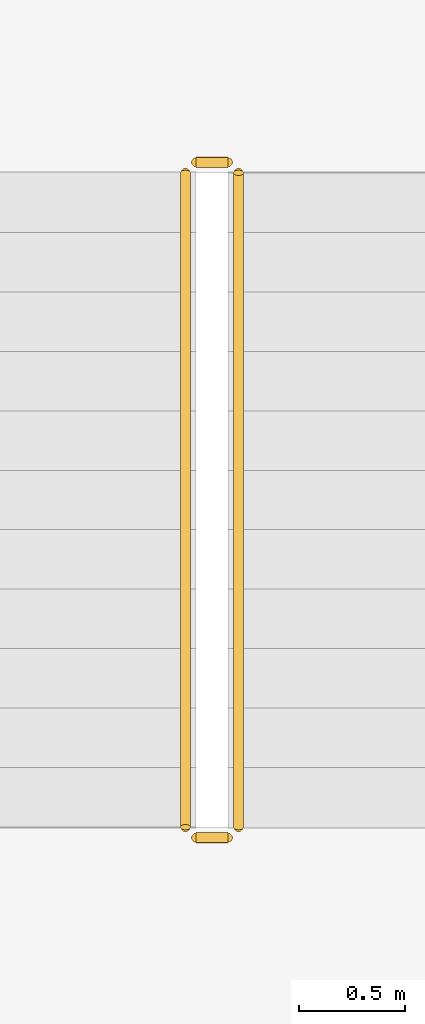
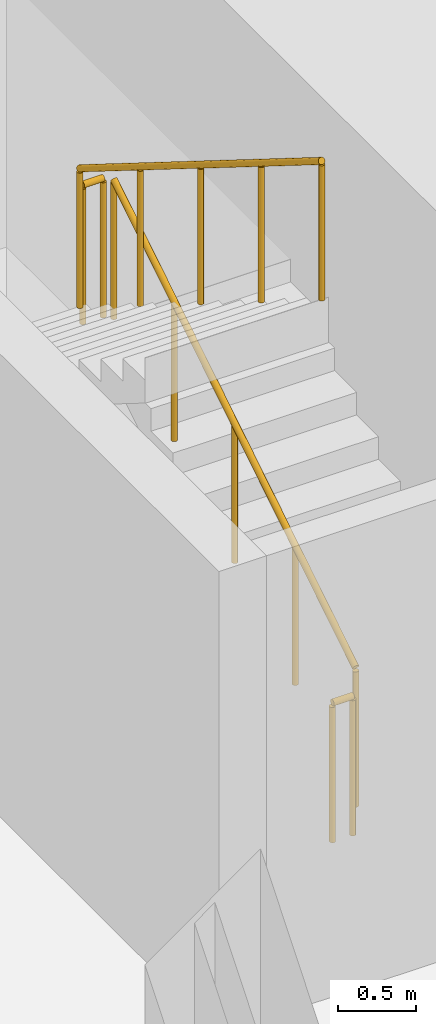
# One storey, part 17 of 21: 4 railings.
"""IFC4 building model written with IfcOpenShell, lengths in metres."""

import ifcopenshell
import ifcopenshell.guid

model = None  # the IFC model being written
_history = None  # IfcOwnerHistory: only IFC2X3 demands one
_inside = {}  # id of a spatial element -> (the spatial element, [elements in it])
_under = {}  # id of a project, library or spatial element -> (it, [spatial elements below it])
_declared = {}  # id of a project -> (the project, [libraries it declares])
_typed = {}  # id of a type object -> (the type object, [elements of that type])
_made_of = {}  # id of a material, layer set ... -> (it, [elements and type objects made of it])


def new_model(schema):
    """Start an empty IFC model of exactly this schema.

    Asked for "IFC4X3", IfcOpenShell would pick the latest addendum, in which some entities
    have other attributes; the version numbers below select the first issue.
    IFC2X3 requires an IfcOwnerHistory on every rooted entity: one is made here for all.
    """
    global model, _history
    if schema == "IFC4X3":
        model = ifcopenshell.file(schema_version=(4, 3, 0, 0))
    else:
        model = ifcopenshell.file(schema=schema)
    _inside.clear()
    _under.clear()
    _declared.clear()
    _typed.clear()
    _made_of.clear()
    _history = None
    if model.schema == "IFC2X3":
        org = make("IfcOrganization", Name="unknown")
        user = make(
            "IfcPersonAndOrganization",
            ThePerson=make("IfcPerson", FamilyName="unknown"),
            TheOrganization=org,
        )
        app = make(
            "IfcApplication",
            ApplicationDeveloper=org,
            Version="unknown",
            ApplicationFullName="unknown",
            ApplicationIdentifier="unknown",
        )
        _history = make(
            "IfcOwnerHistory",
            OwningUser=user,
            OwningApplication=app,
            ChangeAction="ADDED",
            CreationDate=0,
        )
    return model


def make(cls, **values):
    """One entity of the class cls with the attributes given. An attribute that is None is left unset."""
    return model.create_entity(
        cls, **{name: value for name, value in values.items() if value is not None}
    )


def rooted(cls, **values):
    """An entity with a GlobalId (a new one), such as an element, a storey or a relation."""
    return make(cls, GlobalId=ifcopenshell.guid.new(), OwnerHistory=_history, **values)


def si_unit(unit_type, name, prefix=None):
    """IfcSIUnit, for example si_unit("LENGTHUNIT", "METRE", prefix="MILLI")."""
    return make("IfcSIUnit", UnitType=unit_type, Prefix=prefix, Name=name)


def assignment(units):
    """IfcUnitAssignment: the units of a project."""
    return None if units is None else make("IfcUnitAssignment", Units=units)


def point(xyz):
    """IfcCartesianPoint."""
    return None if xyz is None else make("IfcCartesianPoint", Coordinates=xyz)


def direction(xyz):
    """IfcDirection."""
    return None if xyz is None else make("IfcDirection", DirectionRatios=xyz)


def frame(location, z_axis=None, x_axis=None):
    """IfcAxis2Placement3D, a coordinate frame: its origin and axes. An axis left out is left unset."""
    return make(
        "IfcAxis2Placement3D",
        Location=point(location),
        Axis=direction(z_axis),
        RefDirection=direction(x_axis),
    )


def frame_2d(location, x_axis=None):
    """IfcAxis2Placement2D, a coordinate frame in the plane: its origin and x axis."""
    return make(
        "IfcAxis2Placement2D", Location=point(location), RefDirection=direction(x_axis)
    )


def origin():
    """The frame at (0, 0, 0) with its axes left unset."""
    return frame((0.0, 0.0, 0.0))


def origin_2d():
    """The frame at (0, 0) in the plane with its x axis left unset."""
    return frame_2d((0.0, 0.0))


def place(relative_to, where):
    """IfcLocalPlacement: puts the frame where relative to a parent placement (None: the world)."""
    return make(
        "IfcLocalPlacement", PlacementRelTo=relative_to, RelativePlacement=where
    )


def context(
    kind, dimensions, precision=None, world=None, true_north=None, identifier=None
):
    """IfcGeometricRepresentationContext, for example the 3D "Model" context."""
    return make(
        "IfcGeometricRepresentationContext",
        ContextIdentifier=identifier,
        ContextType=kind,
        CoordinateSpaceDimension=dimensions,
        Precision=precision,
        WorldCoordinateSystem=world,
        TrueNorth=true_north,
    )


def subcontext(parent, identifier, kind, view, scale=None):
    """IfcGeometricRepresentationSubContext, for example "Body" below "Model"."""
    return make(
        "IfcGeometricRepresentationSubContext",
        ContextIdentifier=identifier,
        ContextType=kind,
        ParentContext=parent,
        TargetScale=scale,
        TargetView=view,
    )


def project(units=None, contexts=None):
    """IfcProject with its units and contexts."""
    return rooted(
        "IfcProject",
        Name="project",
        RepresentationContexts=contexts,
        UnitsInContext=assignment(units),
    )


def spatial(cls, under=None, at=None, **own):
    """A site, building, storey or space (cls), placed at a placement, below another one or the project."""
    s = rooted(cls, ObjectPlacement=at, **own)
    if under is not None:
        _under.setdefault(under.id(), (under, []))[1].append(s)
    return s


def profile(cls, at=None, kind="AREA", **sizes):
    """A parametric profile (cls). Its sizes go by their IFC names, for example OverallWidth=200.0."""
    return make(cls, ProfileType=kind, Position=at, **sizes)


def circle(**sizes):
    """IfcCircleProfileDef."""
    return profile("IfcCircleProfileDef", **sizes)


def extrude(swept, where, along, depth):
    """IfcExtrudedAreaSolid: the profile swept, set in the frame where, extruded along a direction by depth."""
    return make(
        "IfcExtrudedAreaSolid",
        SweptArea=swept,
        Position=where,
        ExtrudedDirection=direction(along),
        Depth=depth,
    )


def shape(context_of_items, identifier, shape_type, items):
    """IfcShapeRepresentation: the items that make up one representation, for example the "Body"."""
    return make(
        "IfcShapeRepresentation",
        ContextOfItems=context_of_items,
        RepresentationIdentifier=identifier,
        RepresentationType=shape_type,
        Items=items,
    )


def material(Name=None, Category=None):
    """IfcMaterial."""
    return make("IfcMaterial", Name=Name, Category=Category)


def made_of(thing, what):
    """Note that an element or type object is made of a material, layer set ...; save() writes the relation."""
    if what is not None:
        _made_of.setdefault(what.id(), (what, []))[1].append(thing)
    return thing


def type_object(cls, material=None, **own):
    """A type object (cls), such as IfcWallType, which elements share."""
    return made_of(rooted(cls, **own), material)


def element(
    cls,
    number,
    at=None,
    inside=None,
    cuts=None,
    type_object=None,
    material=None,
    context=None,
    identifier="Body",
    shape_type=None,
    held_by="IfcProductDefinitionShape",
    body=None,
    shapes=None,
    **own,
):
    """One element of the class cls, such as IfcWall. Its Tag is "e" and its number.

    at: its placement. inside: the storey or other place that contains it. cuts: it is an
    opening in that element (IfcRelVoidsElement). A single representation is given by context,
    identifier, shape_type and body (its items); several are given by shapes. held_by: the class
    of the entity that holds the representations. save() writes the other relations.
    """
    e = rooted(cls, Tag="e%d" % number, ObjectPlacement=at, **own)
    if body is not None:
        shapes = [shape(context, identifier, shape_type, body)]
    if shapes is not None:
        e.Representation = make(held_by, Representations=shapes)
    if inside is not None:
        _inside.setdefault(inside.id(), (inside, []))[1].append(e)
    if cuts is not None:
        rooted(
            "IfcRelVoidsElement", RelatingBuildingElement=cuts, RelatedOpeningElement=e
        )
    if type_object is not None:
        _typed.setdefault(type_object.id(), (type_object, []))[1].append(e)
    return made_of(e, material)


def aggregate(whole, parts):
    """IfcRelAggregates: a whole, such as a stair, and the parts it consists of."""
    return rooted("IfcRelAggregates", RelatingObject=whole, RelatedObjects=parts)


def save(model, path):
    """Write the relations noted so far, then the file.

    IfcRelAggregates (storeys below a building ...), IfcRelContainedInSpatialStructure (elements
    in a storey), IfcRelDefinesByType, IfcRelAssociatesMaterial and IfcRelDeclares: one each for
    every whole, place, type object, material and project.
    """
    for whole, parts in _under.values():
        aggregate(whole, parts)
    for where, things in _inside.values():
        rooted(
            "IfcRelContainedInSpatialStructure",
            RelatedElements=things,
            RelatingStructure=where,
        )
    for kind, things in _typed.values():
        rooted("IfcRelDefinesByType", RelatedObjects=things, RelatingType=kind)
    for what, things in _made_of.values():
        rooted("IfcRelAssociatesMaterial", RelatedObjects=things, RelatingMaterial=what)
    for by, libraries in _declared.values():
        rooted("IfcRelDeclares", RelatingContext=by, RelatedDefinitions=libraries)
    model.write(path)


model = new_model("IFC4")

# Units and contexts
model_context = context("Model", 3, precision=1e-05, world=origin(), true_north=direction((0.0, 1.0)))
body_context = subcontext(model_context, "Body", "Model", "MODEL_VIEW")
ifc_project = project(units=[si_unit("LENGTHUNIT", "METRE"), si_unit("AREAUNIT", "SQUARE_METRE"), si_unit("VOLUMEUNIT", "CUBIC_METRE"), si_unit("PLANEANGLEUNIT", "RADIAN"), si_unit("MASSUNIT", "GRAM", prefix="KILO")], contexts=[model_context])

# Site, building, storey
site_placement = place(None, origin())
site = spatial("IfcSite", under=ifc_project, at=site_placement, CompositionType="ELEMENT")
building_placement = place(site_placement, origin())
building = spatial("IfcBuilding", under=site, at=building_placement, Name="Kawkab Arch Medical Tower", CompositionType="ELEMENT")
storey_placement = place(building_placement, frame((0.0, 0.0, 230.60009765625)))
storey = spatial("IfcBuildingStorey", under=building, at=storey_placement, Name="L53", CompositionType="ELEMENT", Elevation=230.60009765625)

# Railings
ifc_material = material(Name="Stainless steel", Category="steel")
railing_type = type_object("IfcRailingType", Name="Stair guard 1100", PredefinedType="GUARDRAIL", material=ifc_material)
railing_1_placement = place(storey_placement, frame((2.89990234375, -21.699951171875, 0.1748046875)))
element("IfcRailing", 1, at=railing_1_placement, inside=storey, type_object=railing_type, Name="L53 ST2 stair guard 1", PredefinedType="GUARDRAIL", context=body_context, shape_type="SweptSolid", body=[
    extrude(circle(Radius=0.02392578125, at=origin_2d()), frame((0.0, 0.0, 1.076171875), z_axis=(0.0, 0.847979421464, 0.530029150871), x_axis=(-1.0, 0.0, 0.0)), (0.0, 0.0, 1.0), 3.632080078125),
    extrude(circle(Radius=0.02099609375, at=origin_2d()), origin(), (0.0, 0.0, 1.0), 1.052001953125),
    extrude(circle(Radius=0.02099609375, at=origin_2d()), frame((0.0, 0.77001953125, 0.481201171875)), (0.0, 0.0, 1.0), 1.052001953125),
    extrude(circle(Radius=0.02099609375, at=origin_2d()), frame((0.0, 1.5400390625, 0.96240234375)), (0.0, 0.0, 1.0), 1.052001953125),
    extrude(circle(Radius=0.02099609375, at=origin_2d()), frame((0.0, 2.309814453125, 1.44384765625)), (0.0, 0.0, 1.0), 1.052001953125),
    extrude(circle(Radius=0.02099609375, at=origin_2d()), frame((0.0, 3.079833984375, 1.925048828125)), (0.0, 0.0, 1.0), 1.052001953125),
])
railing_2_placement = place(storey_placement, frame((2.85009765625, -18.570068359375, 2.099853515625)))
element("IfcRailing", 2, at=railing_2_placement, inside=storey, type_object=railing_type, Name="L53 ST2 stair guard 2", PredefinedType="GUARDRAIL", context=body_context, shape_type="SweptSolid", body=[
    extrude(circle(Radius=0.02392578125, at=origin_2d()), frame((0.0, 0.0, 1.076171875), z_axis=(-1.0, 0.0, 0.0), x_axis=(0.0, -1.0, 0.0)), (0.0, 0.0, 1.0), 0.150146484375),
    extrude(circle(Radius=0.02099609375, at=origin_2d()), origin(), (0.0, 0.0, 1.0), 1.052001953125),
    extrude(circle(Radius=0.02099609375, at=origin_2d()), frame((-0.150146484375, 0.0, 0.0)), (0.0, 0.0, 1.0), 1.052001953125),
])
railing_3_placement = place(storey_placement, frame((2.64990234375, -18.6201171875, 2.27490234375)))
element("IfcRailing", 3, at=railing_3_placement, inside=storey, type_object=railing_type, Name="L53 ST2 stair guard 3", PredefinedType="GUARDRAIL", context=body_context, shape_type="SweptSolid", body=[
    extrude(circle(Radius=0.02392578125, at=origin_2d()), frame((0.0, 0.0, 1.076171875), z_axis=(0.0, -0.847979421464, 0.530029150871), x_axis=(1.0, 0.0, 0.0)), (0.0, 0.0, 1.0), 3.632080078125),
    extrude(circle(Radius=0.02099609375, at=origin_2d()), origin(), (0.0, 0.0, 1.0), 1.052001953125),
    extrude(circle(Radius=0.02099609375, at=origin_2d()), frame((0.0, -0.77001953125, 0.481201171875)), (0.0, 0.0, 1.0), 1.052001953125),
    extrude(circle(Radius=0.02099609375, at=origin_2d()), frame((0.0, -1.5400390625, 0.96240234375)), (0.0, 0.0, 1.0), 1.052001953125),
    extrude(circle(Radius=0.02099609375, at=origin_2d()), frame((0.0, -2.309814453125, 1.44384765625)), (0.0, 0.0, 1.0), 1.052001953125),
    extrude(circle(Radius=0.02099609375, at=origin_2d()), frame((0.0, -3.079833984375, 1.925048828125)), (0.0, 0.0, 1.0), 1.052001953125),
])
railing_4_placement = place(storey_placement, frame((2.85009765625, -21.75, 0.0)))
element("IfcRailing", 4, at=railing_4_placement, inside=storey, type_object=railing_type, Name="L53 ST2 stair guard 4", PredefinedType="GUARDRAIL", context=body_context, shape_type="SweptSolid", body=[
    extrude(circle(Radius=0.02392578125, at=origin_2d()), frame((0.0, 0.0, 1.076171875), z_axis=(-1.0, 0.0, 0.0), x_axis=(0.0, -1.0, 0.0)), (0.0, 0.0, 1.0), 0.150146484375),
    extrude(circle(Radius=0.02099609375, at=origin_2d()), origin(), (0.0, 0.0, 1.0), 1.052001953125),
    extrude(circle(Radius=0.02099609375, at=origin_2d()), frame((-0.150146484375, 0.0, 0.0)), (0.0, 0.0, 1.0), 1.052001953125),
])

save(model, "model.ifc")
